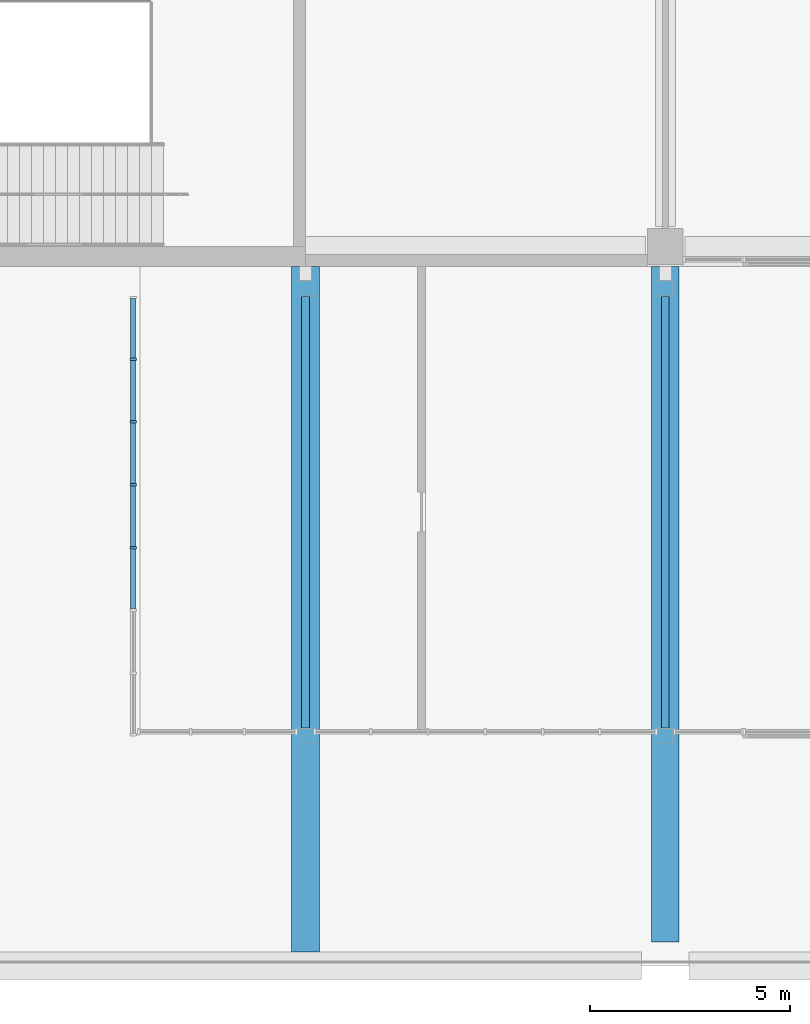
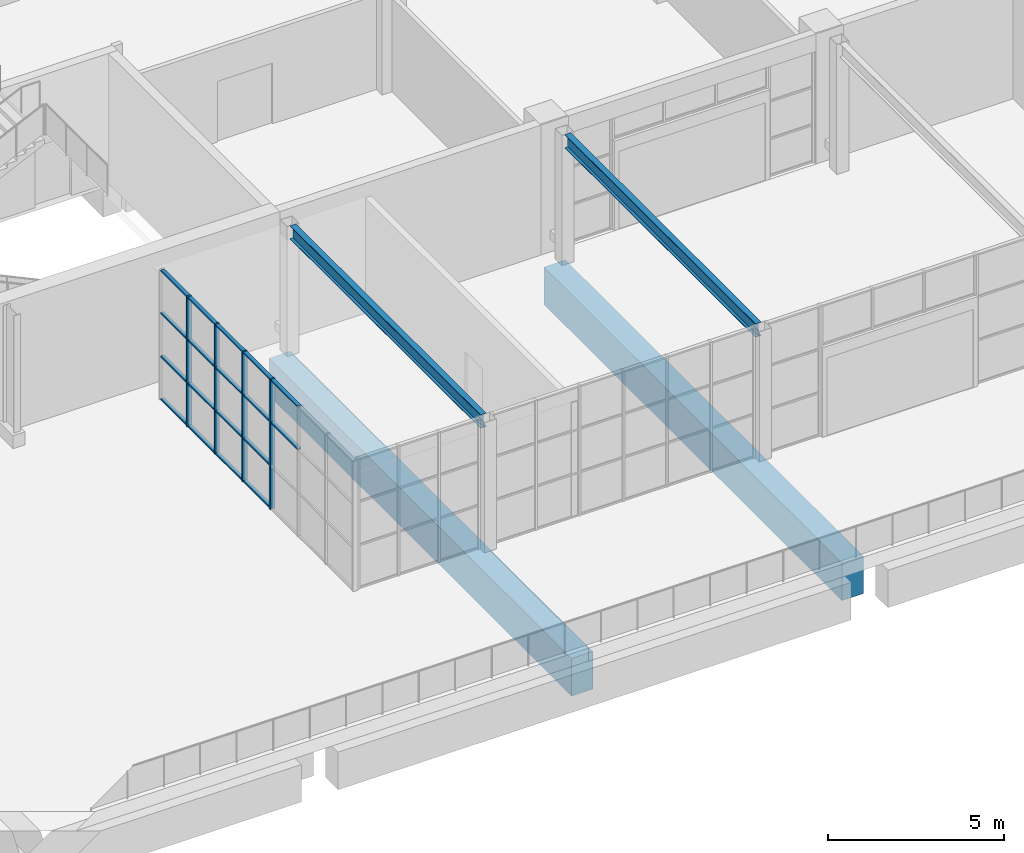
# One storey, part 30 of 168: 22 members, 4 beams, 1 element without a shape of its own.
"""IFC4 building model written with IfcOpenShell, lengths in metres."""

import ifcopenshell
import ifcopenshell.guid

model = None  # the IFC model being written
_history = None  # IfcOwnerHistory: only IFC2X3 demands one
_inside = {}  # id of a spatial element -> (the spatial element, [elements in it])
_under = {}  # id of a project, library or spatial element -> (it, [spatial elements below it])
_declared = {}  # id of a project -> (the project, [libraries it declares])
_typed = {}  # id of a type object -> (the type object, [elements of that type])
_made_of = {}  # id of a material, layer set ... -> (it, [elements and type objects made of it])


def new_model(schema):
    """Start an empty IFC model of exactly this schema.

    Asked for "IFC4X3", IfcOpenShell would pick the latest addendum, in which some entities
    have other attributes; the version numbers below select the first issue.
    IFC2X3 requires an IfcOwnerHistory on every rooted entity: one is made here for all.
    """
    global model, _history
    if schema == "IFC4X3":
        model = ifcopenshell.file(schema_version=(4, 3, 0, 0))
    else:
        model = ifcopenshell.file(schema=schema)
    _inside.clear()
    _under.clear()
    _declared.clear()
    _typed.clear()
    _made_of.clear()
    _history = None
    if model.schema == "IFC2X3":
        org = make("IfcOrganization", Name="unknown")
        user = make(
            "IfcPersonAndOrganization",
            ThePerson=make("IfcPerson", FamilyName="unknown"),
            TheOrganization=org,
        )
        app = make(
            "IfcApplication",
            ApplicationDeveloper=org,
            Version="unknown",
            ApplicationFullName="unknown",
            ApplicationIdentifier="unknown",
        )
        _history = make(
            "IfcOwnerHistory",
            OwningUser=user,
            OwningApplication=app,
            ChangeAction="ADDED",
            CreationDate=0,
        )
    return model


def make(cls, **values):
    """One entity of the class cls with the attributes given. An attribute that is None is left unset."""
    return model.create_entity(
        cls, **{name: value for name, value in values.items() if value is not None}
    )


def rooted(cls, **values):
    """An entity with a GlobalId (a new one), such as an element, a storey or a relation."""
    return make(cls, GlobalId=ifcopenshell.guid.new(), OwnerHistory=_history, **values)


def si_unit(unit_type, name, prefix=None):
    """IfcSIUnit, for example si_unit("LENGTHUNIT", "METRE", prefix="MILLI")."""
    return make("IfcSIUnit", UnitType=unit_type, Prefix=prefix, Name=name)


def assignment(units):
    """IfcUnitAssignment: the units of a project."""
    return None if units is None else make("IfcUnitAssignment", Units=units)


def point(xyz):
    """IfcCartesianPoint."""
    return None if xyz is None else make("IfcCartesianPoint", Coordinates=xyz)


def direction(xyz):
    """IfcDirection."""
    return None if xyz is None else make("IfcDirection", DirectionRatios=xyz)


def frame(location, z_axis=None, x_axis=None):
    """IfcAxis2Placement3D, a coordinate frame: its origin and axes. An axis left out is left unset."""
    return make(
        "IfcAxis2Placement3D",
        Location=point(location),
        Axis=direction(z_axis),
        RefDirection=direction(x_axis),
    )


def frame_2d(location, x_axis=None):
    """IfcAxis2Placement2D, a coordinate frame in the plane: its origin and x axis."""
    return make(
        "IfcAxis2Placement2D", Location=point(location), RefDirection=direction(x_axis)
    )


def origin():
    """The frame at (0, 0, 0) with its axes left unset."""
    return frame((0.0, 0.0, 0.0))


def origin_2d():
    """The frame at (0, 0) in the plane with its x axis left unset."""
    return frame_2d((0.0, 0.0))


def place(relative_to, where):
    """IfcLocalPlacement: puts the frame where relative to a parent placement (None: the world)."""
    return make(
        "IfcLocalPlacement", PlacementRelTo=relative_to, RelativePlacement=where
    )


def context(
    kind, dimensions, precision=None, world=None, true_north=None, identifier=None
):
    """IfcGeometricRepresentationContext, for example the 3D "Model" context."""
    return make(
        "IfcGeometricRepresentationContext",
        ContextIdentifier=identifier,
        ContextType=kind,
        CoordinateSpaceDimension=dimensions,
        Precision=precision,
        WorldCoordinateSystem=world,
        TrueNorth=true_north,
    )


def subcontext(parent, identifier, kind, view, scale=None):
    """IfcGeometricRepresentationSubContext, for example "Body" below "Model"."""
    return make(
        "IfcGeometricRepresentationSubContext",
        ContextIdentifier=identifier,
        ContextType=kind,
        ParentContext=parent,
        TargetScale=scale,
        TargetView=view,
    )


def project(units=None, contexts=None):
    """IfcProject with its units and contexts."""
    return rooted(
        "IfcProject",
        Name="project",
        RepresentationContexts=contexts,
        UnitsInContext=assignment(units),
    )


def spatial(cls, under=None, at=None, **own):
    """A site, building, storey or space (cls), placed at a placement, below another one or the project."""
    s = rooted(cls, ObjectPlacement=at, **own)
    if under is not None:
        _under.setdefault(under.id(), (under, []))[1].append(s)
    return s


def profile(cls, at=None, kind="AREA", **sizes):
    """A parametric profile (cls). Its sizes go by their IFC names, for example OverallWidth=200.0."""
    return make(cls, ProfileType=kind, Position=at, **sizes)


def rectangle(**sizes):
    """IfcRectangleProfileDef."""
    return profile("IfcRectangleProfileDef", **sizes)


def i_section(**sizes):
    """IfcIShapeProfileDef."""
    return profile("IfcIShapeProfileDef", **sizes)


def extrude(swept, where, along, depth):
    """IfcExtrudedAreaSolid: the profile swept, set in the frame where, extruded along a direction by depth."""
    return make(
        "IfcExtrudedAreaSolid",
        SweptArea=swept,
        Position=where,
        ExtrudedDirection=direction(along),
        Depth=depth,
    )


def shape(context_of_items, identifier, shape_type, items):
    """IfcShapeRepresentation: the items that make up one representation, for example the "Body"."""
    return make(
        "IfcShapeRepresentation",
        ContextOfItems=context_of_items,
        RepresentationIdentifier=identifier,
        RepresentationType=shape_type,
        Items=items,
    )


def material(Name=None, Category=None):
    """IfcMaterial."""
    return make("IfcMaterial", Name=Name, Category=Category)


def material_profile(
    of_material, cross_section, Name=None, Category=None, Priority=None
):
    """IfcMaterialProfile: a cross section and its material."""
    return make(
        "IfcMaterialProfile",
        Name=Name,
        Material=of_material,
        Profile=cross_section,
        Priority=Priority,
        Category=Category,
    )


def profile_set(profiles, Name=None, composite=None):
    """IfcMaterialProfileSet."""
    return make(
        "IfcMaterialProfileSet",
        Name=Name,
        MaterialProfiles=profiles,
        CompositeProfile=composite,
    )


def made_of(thing, what):
    """Note that an element or type object is made of a material, layer set ...; save() writes the relation."""
    if what is not None:
        _made_of.setdefault(what.id(), (what, []))[1].append(thing)
    return thing


def type_object(cls, material=None, **own):
    """A type object (cls), such as IfcWallType, which elements share."""
    return made_of(rooted(cls, **own), material)


def element(
    cls,
    number,
    at=None,
    inside=None,
    cuts=None,
    type_object=None,
    material=None,
    context=None,
    identifier="Body",
    shape_type=None,
    held_by="IfcProductDefinitionShape",
    body=None,
    shapes=None,
    **own,
):
    """One element of the class cls, such as IfcWall. Its Tag is "e" and its number.

    at: its placement. inside: the storey or other place that contains it. cuts: it is an
    opening in that element (IfcRelVoidsElement). A single representation is given by context,
    identifier, shape_type and body (its items); several are given by shapes. held_by: the class
    of the entity that holds the representations. save() writes the other relations.
    """
    e = rooted(cls, Tag="e%d" % number, ObjectPlacement=at, **own)
    if body is not None:
        shapes = [shape(context, identifier, shape_type, body)]
    if shapes is not None:
        e.Representation = make(held_by, Representations=shapes)
    if inside is not None:
        _inside.setdefault(inside.id(), (inside, []))[1].append(e)
    if cuts is not None:
        rooted(
            "IfcRelVoidsElement", RelatingBuildingElement=cuts, RelatedOpeningElement=e
        )
    if type_object is not None:
        _typed.setdefault(type_object.id(), (type_object, []))[1].append(e)
    return made_of(e, material)


def aggregate(whole, parts):
    """IfcRelAggregates: a whole, such as a stair, and the parts it consists of."""
    return rooted("IfcRelAggregates", RelatingObject=whole, RelatedObjects=parts)


def save(model, path):
    """Write the relations noted so far, then the file.

    IfcRelAggregates (storeys below a building ...), IfcRelContainedInSpatialStructure (elements
    in a storey), IfcRelDefinesByType, IfcRelAssociatesMaterial and IfcRelDeclares: one each for
    every whole, place, type object, material and project.
    """
    for whole, parts in _under.values():
        aggregate(whole, parts)
    for where, things in _inside.values():
        rooted(
            "IfcRelContainedInSpatialStructure",
            RelatedElements=things,
            RelatingStructure=where,
        )
    for kind, things in _typed.values():
        rooted("IfcRelDefinesByType", RelatedObjects=things, RelatingType=kind)
    for what, things in _made_of.values():
        rooted("IfcRelAssociatesMaterial", RelatedObjects=things, RelatingMaterial=what)
    for by, libraries in _declared.values():
        rooted("IfcRelDeclares", RelatingContext=by, RelatedDefinitions=libraries)
    model.write(path)


model = new_model("IFC4")

# Units and contexts
model_context = context("Model", 3, precision=1e-05, world=origin(), true_north=direction((0.0, 1.0)))
body_context = subcontext(model_context, "Body", "Model", "MODEL_VIEW")
ifc_project = project(units=[si_unit("LENGTHUNIT", "METRE"), si_unit("AREAUNIT", "SQUARE_METRE"), si_unit("VOLUMEUNIT", "CUBIC_METRE"), si_unit("PLANEANGLEUNIT", "RADIAN"), si_unit("MASSUNIT", "GRAM", prefix="KILO")], contexts=[model_context])

# Site, building, storey
site_placement = place(None, origin())
site = spatial("IfcSite", under=ifc_project, at=site_placement, CompositionType="ELEMENT")
building_placement = place(site_placement, origin())
building = spatial("IfcBuilding", under=site, at=building_placement, Name="Silverbay Arena", CompositionType="ELEMENT")
storey_placement = place(building_placement, frame((0.0, 0.0, 7.0)))
storey = spatial("IfcBuildingStorey", under=building, at=storey_placement, Name="L01", CompositionType="ELEMENT", Elevation=7.0)

# Beams
ifc_material_1 = material(Name="Steel S355", Category="steel")
ifc_material_profile_1 = material_profile(ifc_material_1, i_section(OverallWidth=0.19287109375, OverallDepth=0.46728515625, WebThickness=0.011474609375, FlangeThickness=0.01953125, at=origin_2d()), Name="UB 457x191x98")
ifc_profile_set_1 = profile_set([ifc_material_profile_1], Name="Steel S355")
beam_type_1 = type_object("IfcBeamType", Name="Hall beam UB 457x191x98", PredefinedType="BEAM", material=ifc_profile_set_1)
for number, where, z_axis, x_axis, name in (
    (1, (117.0, 16.75, 4.266357421875), (0.0, -1.0, 0.0), (1.0, 0.0, 0.0), "South entrance hall S1 transverse beam 1L11"),
    (2, (126.0, 16.75, 4.266357421875), (0.0, -1.0, 0.0), (1.0, 0.0, 0.0), "South entrance hall S1 transverse beam 2L11"),
):
    element("IfcBeam", number, at=place(storey_placement, frame(where, z_axis=z_axis, x_axis=x_axis)), inside=storey, type_object=beam_type_1, Name=name, PredefinedType="BEAM", context=body_context, shape_type="SweptSolid", body=[
        extrude(i_section(OverallWidth=0.19287109375, OverallDepth=0.46728515625, WebThickness=0.011474609375, FlangeThickness=0.01953125, at=origin_2d()), origin(), (0.0, 0.0, 1.0), 10.800048828125),
    ])

# Curtain wall, members
ifc_material_2 = material(Name="Aluminium framed curtain wall", Category="aluminium")
curtain_wall_type = type_object("IfcCurtainWallType", Name="Curtain wall 11000 x 4500", PredefinedType="NOTDEFINED", material=ifc_material_2)
curtain_wall_placement = place(storey_placement, origin())
curtain_wall = element("IfcCurtainWall", 3, at=curtain_wall_placement, inside=storey, type_object=curtain_wall_type, Name="South entrance hall S1 glazing SA", PredefinedType="NOTDEFINED")
ifc_material_3 = material(Name="Aluminium", Category="aluminium")
ifc_material_profile_2 = material_profile(ifc_material_3, rectangle(XDim=0.159912109375, YDim=0.06005859375, at=origin_2d()), Name="Mullion 60 x 160")
ifc_profile_set_2 = profile_set([ifc_material_profile_2], Name="Aluminium")
member_type_1 = type_object("IfcMemberType", Name="Mullion 60 x 160", PredefinedType="MULLION", material=ifc_profile_set_2)
member_1_placement = place(storey_placement, frame((112.68994140625, 10.46435546875, 0.0), z_axis=(0.0, 0.0, 1.0), x_axis=(-1.0, 0.0, 0.0)))
member_1 = element("IfcMember", 4, at=member_1_placement, type_object=member_type_1, Name="CW36 mullion 4", PredefinedType="MULLION", context=body_context, shape_type="SweptSolid", body=[
    extrude(rectangle(XDim=0.159912109375, YDim=0.06005859375, at=origin_2d()), origin(), (0.0, 0.0, 1.0), 4.5),
])
member_2_placement = place(storey_placement, frame((112.68994140625, 12.03564453125, 0.0), z_axis=(0.0, 0.0, 1.0), x_axis=(-1.0, 0.0, 0.0)))
member_2 = element("IfcMember", 5, at=member_2_placement, type_object=member_type_1, Name="CW36 mullion 5", PredefinedType="MULLION", context=body_context, shape_type="SweptSolid", body=[
    extrude(rectangle(XDim=0.159912109375, YDim=0.06005859375, at=origin_2d()), origin(), (0.0, 0.0, 1.0), 4.5),
])
member_3_placement = place(storey_placement, frame((112.68994140625, 13.607177734375, 0.0), z_axis=(0.0, 0.0, 1.0), x_axis=(-1.0, 0.0, 0.0)))
member_3 = element("IfcMember", 6, at=member_3_placement, type_object=member_type_1, Name="CW36 mullion 6", PredefinedType="MULLION", context=body_context, shape_type="SweptSolid", body=[
    extrude(rectangle(XDim=0.159912109375, YDim=0.06005859375, at=origin_2d()), origin(), (0.0, 0.0, 1.0), 4.5),
])
member_4_placement = place(storey_placement, frame((112.68994140625, 15.178466796875, 0.0), z_axis=(0.0, 0.0, 1.0), x_axis=(-1.0, 0.0, 0.0)))
member_4 = element("IfcMember", 7, at=member_4_placement, type_object=member_type_1, Name="CW36 mullion 7", PredefinedType="MULLION", context=body_context, shape_type="SweptSolid", body=[
    extrude(rectangle(XDim=0.159912109375, YDim=0.06005859375, at=origin_2d()), origin(), (0.0, 0.0, 1.0), 4.5),
])

# Beams
ifc_material_4 = material(Name="Concrete Grade C45", Category="concrete")
ifc_material_profile_3 = material_profile(ifc_material_4, rectangle(XDim=0.699951171875, YDim=1.300048828125, at=origin_2d()), Name="RC 700x1300")
ifc_profile_set_3 = profile_set([ifc_material_profile_3], Name="Concrete Grade C45")
beam_type_2 = type_object("IfcBeamType", Name="RC girder 700x1300", PredefinedType="BEAM", material=ifc_profile_set_3)
beam_1_placement = place(storey_placement, frame((117.0, 0.35009765625, -1.10009765625), z_axis=(0.0, 1.0, 0.0), x_axis=(-1.0, 0.0, 0.0)))
element("IfcBeam", 8, at=beam_1_placement, inside=storey, type_object=beam_type_2, Name="Deck secondary beam 117", PredefinedType="BEAM", context=body_context, shape_type="SweptSolid", body=[
    extrude(rectangle(XDim=0.699951171875, YDim=1.300048828125, at=origin_2d()), origin(), (0.0, 0.0, 1.0), 17.14990234375),
])
beam_2_placement = place(storey_placement, frame((126.0, 0.60009765625, -1.10009765625), z_axis=(0.0, 1.0, 0.0), x_axis=(-1.0, 0.0, 0.0)))
element("IfcBeam", 9, at=beam_2_placement, inside=storey, type_object=beam_type_2, Name="Deck secondary beam 119", PredefinedType="BEAM", context=body_context, shape_type="SweptSolid", body=[
    extrude(rectangle(XDim=0.699951171875, YDim=1.300048828125, at=origin_2d()), origin(), (0.0, 0.0, 1.0), 16.89990234375),
])

# Member
ifc_material_5 = material(Name="Aluminium", Category="aluminium")
ifc_material_profile_4 = material_profile(ifc_material_5, rectangle(XDim=0.1201171875, YDim=0.050048828125, at=origin_2d()), Name="Transom 50 x 120")
ifc_profile_set_4 = profile_set([ifc_material_profile_4], Name="Aluminium")
member_type_2 = type_object("IfcMemberType", Name="Transom 50 x 120", PredefinedType="USERDEFINED", material=ifc_profile_set_4)
member_5_placement = place(storey_placement, frame((112.68994140625, 8.9228515625, 3.0), z_axis=(0.0, 1.0, 0.0), x_axis=(-1.0, 0.0, 0.0)))
member_5 = element("IfcMember", 10, at=member_5_placement, type_object=member_type_2, Name="CW36 transom 3.3", ObjectType="TRANSOM", PredefinedType="USERDEFINED", context=body_context, shape_type="SweptSolid", body=[
    extrude(rectangle(XDim=0.1201171875, YDim=0.050048828125, at=origin_2d()), origin(), (0.0, 0.0, 1.0), 1.511474609375),
])

member_6_placement = place(storey_placement, frame((112.68994140625, 8.9228515625, 4.47509765625), z_axis=(0.0, 1.0, 0.0), x_axis=(-1.0, 0.0, 0.0)))
member_6 = element("IfcMember", 11, at=member_6_placement, type_object=member_type_2, Name="CW36 transom 3.4", ObjectType="TRANSOM", PredefinedType="USERDEFINED", context=body_context, shape_type="SweptSolid", body=[
    extrude(rectangle(XDim=0.1201171875, YDim=0.050048828125, at=origin_2d()), origin(), (0.0, 0.0, 1.0), 1.511474609375),
])

member_7_placement = place(storey_placement, frame((112.68994140625, 10.494384765625, 0.02490234375), z_axis=(0.0, 1.0, 0.0), x_axis=(-1.0, 0.0, 0.0)))
member_7 = element("IfcMember", 12, at=member_7_placement, type_object=member_type_2, Name="CW36 transom 4.1", ObjectType="TRANSOM", PredefinedType="USERDEFINED", context=body_context, shape_type="SweptSolid", body=[
    extrude(rectangle(XDim=0.1201171875, YDim=0.050048828125, at=origin_2d()), origin(), (0.0, 0.0, 1.0), 1.51123046875),
])

member_8_placement = place(storey_placement, frame((112.68994140625, 10.494384765625, 1.5), z_axis=(0.0, 1.0, 0.0), x_axis=(-1.0, 0.0, 0.0)))
member_8 = element("IfcMember", 13, at=member_8_placement, type_object=member_type_2, Name="CW36 transom 4.2", ObjectType="TRANSOM", PredefinedType="USERDEFINED", context=body_context, shape_type="SweptSolid", body=[
    extrude(rectangle(XDim=0.1201171875, YDim=0.050048828125, at=origin_2d()), origin(), (0.0, 0.0, 1.0), 1.51123046875),
])

member_9_placement = place(storey_placement, frame((112.68994140625, 10.494384765625, 3.0), z_axis=(0.0, 1.0, 0.0), x_axis=(-1.0, 0.0, 0.0)))
member_9 = element("IfcMember", 14, at=member_9_placement, type_object=member_type_2, Name="CW36 transom 4.3", ObjectType="TRANSOM", PredefinedType="USERDEFINED", context=body_context, shape_type="SweptSolid", body=[
    extrude(rectangle(XDim=0.1201171875, YDim=0.050048828125, at=origin_2d()), origin(), (0.0, 0.0, 1.0), 1.51123046875),
])

member_10_placement = place(storey_placement, frame((112.68994140625, 10.494384765625, 4.47509765625), z_axis=(0.0, 1.0, 0.0), x_axis=(-1.0, 0.0, 0.0)))
member_10 = element("IfcMember", 15, at=member_10_placement, type_object=member_type_2, Name="CW36 transom 4.4", ObjectType="TRANSOM", PredefinedType="USERDEFINED", context=body_context, shape_type="SweptSolid", body=[
    extrude(rectangle(XDim=0.1201171875, YDim=0.050048828125, at=origin_2d()), origin(), (0.0, 0.0, 1.0), 1.51123046875),
])

member_11_placement = place(storey_placement, frame((112.68994140625, 12.065673828125, 0.02490234375), z_axis=(0.0, 1.0, 0.0), x_axis=(-1.0, 0.0, 0.0)))
member_11 = element("IfcMember", 16, at=member_11_placement, type_object=member_type_2, Name="CW36 transom 5.1", ObjectType="TRANSOM", PredefinedType="USERDEFINED", context=body_context, shape_type="SweptSolid", body=[
    extrude(rectangle(XDim=0.1201171875, YDim=0.050048828125, at=origin_2d()), origin(), (0.0, 0.0, 1.0), 1.511474609375),
])

member_12_placement = place(storey_placement, frame((112.68994140625, 12.065673828125, 1.5), z_axis=(0.0, 1.0, 0.0), x_axis=(-1.0, 0.0, 0.0)))
member_12 = element("IfcMember", 17, at=member_12_placement, type_object=member_type_2, Name="CW36 transom 5.2", ObjectType="TRANSOM", PredefinedType="USERDEFINED", context=body_context, shape_type="SweptSolid", body=[
    extrude(rectangle(XDim=0.1201171875, YDim=0.050048828125, at=origin_2d()), origin(), (0.0, 0.0, 1.0), 1.511474609375),
])

member_13_placement = place(storey_placement, frame((112.68994140625, 12.065673828125, 3.0), z_axis=(0.0, 1.0, 0.0), x_axis=(-1.0, 0.0, 0.0)))
member_13 = element("IfcMember", 18, at=member_13_placement, type_object=member_type_2, Name="CW36 transom 5.3", ObjectType="TRANSOM", PredefinedType="USERDEFINED", context=body_context, shape_type="SweptSolid", body=[
    extrude(rectangle(XDim=0.1201171875, YDim=0.050048828125, at=origin_2d()), origin(), (0.0, 0.0, 1.0), 1.511474609375),
])

member_14_placement = place(storey_placement, frame((112.68994140625, 12.065673828125, 4.47509765625), z_axis=(0.0, 1.0, 0.0), x_axis=(-1.0, 0.0, 0.0)))
member_14 = element("IfcMember", 19, at=member_14_placement, type_object=member_type_2, Name="CW36 transom 5.4", ObjectType="TRANSOM", PredefinedType="USERDEFINED", context=body_context, shape_type="SweptSolid", body=[
    extrude(rectangle(XDim=0.1201171875, YDim=0.050048828125, at=origin_2d()), origin(), (0.0, 0.0, 1.0), 1.511474609375),
])

member_15_placement = place(storey_placement, frame((112.68994140625, 13.63720703125, 0.02490234375), z_axis=(0.0, 1.0, 0.0), x_axis=(-1.0, 0.0, 0.0)))
member_15 = element("IfcMember", 20, at=member_15_placement, type_object=member_type_2, Name="CW36 transom 6.1", ObjectType="TRANSOM", PredefinedType="USERDEFINED", context=body_context, shape_type="SweptSolid", body=[
    extrude(rectangle(XDim=0.1201171875, YDim=0.050048828125, at=origin_2d()), origin(), (0.0, 0.0, 1.0), 1.511474609375),
])

member_16_placement = place(storey_placement, frame((112.68994140625, 13.63720703125, 1.5), z_axis=(0.0, 1.0, 0.0), x_axis=(-1.0, 0.0, 0.0)))
member_16 = element("IfcMember", 21, at=member_16_placement, type_object=member_type_2, Name="CW36 transom 6.2", ObjectType="TRANSOM", PredefinedType="USERDEFINED", context=body_context, shape_type="SweptSolid", body=[
    extrude(rectangle(XDim=0.1201171875, YDim=0.050048828125, at=origin_2d()), origin(), (0.0, 0.0, 1.0), 1.511474609375),
])

member_17_placement = place(storey_placement, frame((112.68994140625, 13.63720703125, 3.0), z_axis=(0.0, 1.0, 0.0), x_axis=(-1.0, 0.0, 0.0)))
member_17 = element("IfcMember", 22, at=member_17_placement, type_object=member_type_2, Name="CW36 transom 6.3", ObjectType="TRANSOM", PredefinedType="USERDEFINED", context=body_context, shape_type="SweptSolid", body=[
    extrude(rectangle(XDim=0.1201171875, YDim=0.050048828125, at=origin_2d()), origin(), (0.0, 0.0, 1.0), 1.511474609375),
])

member_18_placement = place(storey_placement, frame((112.68994140625, 13.63720703125, 4.47509765625), z_axis=(0.0, 1.0, 0.0), x_axis=(-1.0, 0.0, 0.0)))
member_18 = element("IfcMember", 23, at=member_18_placement, type_object=member_type_2, Name="CW36 transom 6.4", ObjectType="TRANSOM", PredefinedType="USERDEFINED", context=body_context, shape_type="SweptSolid", body=[
    extrude(rectangle(XDim=0.1201171875, YDim=0.050048828125, at=origin_2d()), origin(), (0.0, 0.0, 1.0), 1.511474609375),
])

member_19_placement = place(storey_placement, frame((112.68994140625, 15.20849609375, 0.02490234375), z_axis=(0.0, 1.0, 0.0), x_axis=(-1.0, 0.0, 0.0)))
member_19 = element("IfcMember", 24, at=member_19_placement, type_object=member_type_2, Name="CW36 transom 7.1", ObjectType="TRANSOM", PredefinedType="USERDEFINED", context=body_context, shape_type="SweptSolid", body=[
    extrude(rectangle(XDim=0.1201171875, YDim=0.050048828125, at=origin_2d()), origin(), (0.0, 0.0, 1.0), 1.4814453125),
])

member_20_placement = place(storey_placement, frame((112.68994140625, 15.20849609375, 1.5), z_axis=(0.0, 1.0, 0.0), x_axis=(-1.0, 0.0, 0.0)))
member_20 = element("IfcMember", 25, at=member_20_placement, type_object=member_type_2, Name="CW36 transom 7.2", ObjectType="TRANSOM", PredefinedType="USERDEFINED", context=body_context, shape_type="SweptSolid", body=[
    extrude(rectangle(XDim=0.1201171875, YDim=0.050048828125, at=origin_2d()), origin(), (0.0, 0.0, 1.0), 1.4814453125),
])

member_21_placement = place(storey_placement, frame((112.68994140625, 15.20849609375, 3.0), z_axis=(0.0, 1.0, 0.0), x_axis=(-1.0, 0.0, 0.0)))
member_21 = element("IfcMember", 26, at=member_21_placement, type_object=member_type_2, Name="CW36 transom 7.3", ObjectType="TRANSOM", PredefinedType="USERDEFINED", context=body_context, shape_type="SweptSolid", body=[
    extrude(rectangle(XDim=0.1201171875, YDim=0.050048828125, at=origin_2d()), origin(), (0.0, 0.0, 1.0), 1.4814453125),
])

member_22_placement = place(storey_placement, frame((112.68994140625, 15.20849609375, 4.47509765625), z_axis=(0.0, 1.0, 0.0), x_axis=(-1.0, 0.0, 0.0)))
member_22 = element("IfcMember", 27, at=member_22_placement, type_object=member_type_2, Name="CW36 transom 7.4", ObjectType="TRANSOM", PredefinedType="USERDEFINED", context=body_context, shape_type="SweptSolid", body=[
    extrude(rectangle(XDim=0.1201171875, YDim=0.050048828125, at=origin_2d()), origin(), (0.0, 0.0, 1.0), 1.4814453125),
])

aggregate(curtain_wall, [member_1, member_2, member_3, member_4, member_5, member_6, member_7, member_8, member_9, member_10, member_11, member_12, member_13, member_14, member_15, member_16, member_17, member_18, member_19, member_20, member_21, member_22])

save(model, "model.ifc")
